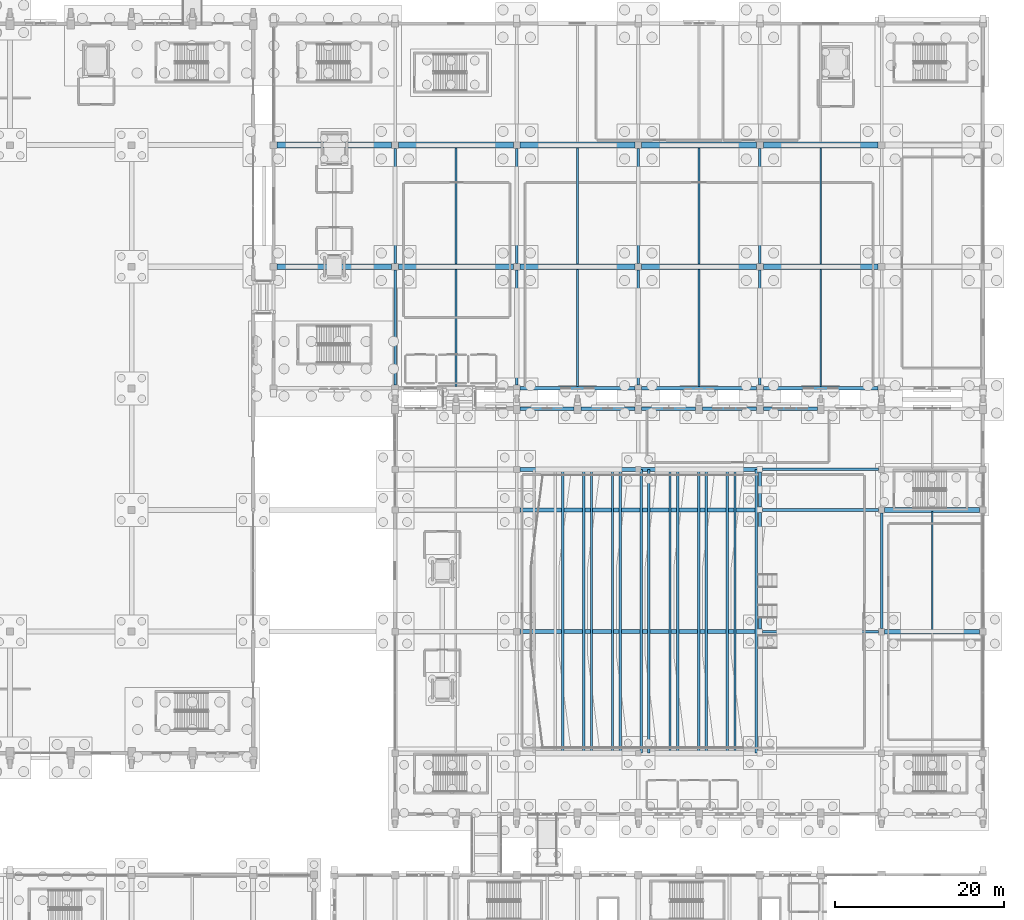
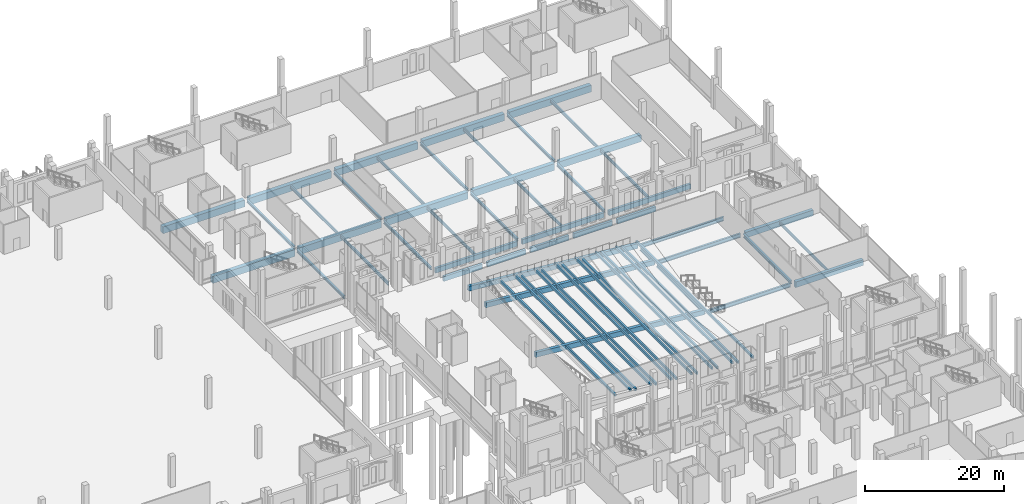
# One storey, part 112 of 192: 60 beams.
"""IFC4 building model written with IfcOpenShell, lengths in metres."""

from ifc_helpers import new_model, si_unit, direction, frame, origin, origin_2d, place, context, subcontext, project, spatial, rectangle, i_section, extrude, material, material_profile, profile_set, type_object, element, save


model = new_model("IFC4")

# Units and contexts
model_context = context("Model", 3, precision=1e-05, world=origin(), true_north=direction((0.0, 1.0)))
body_context = subcontext(model_context, "Body", "Model", "MODEL_VIEW")
ifc_project = project(units=[si_unit("LENGTHUNIT", "METRE"), si_unit("AREAUNIT", "SQUARE_METRE"), si_unit("VOLUMEUNIT", "CUBIC_METRE"), si_unit("PLANEANGLEUNIT", "RADIAN"), si_unit("MASSUNIT", "GRAM", prefix="KILO")], contexts=[model_context])

# Site, building, storey
site_placement = place(None, origin())
site = spatial("IfcSite", under=ifc_project, at=site_placement, CompositionType="ELEMENT")
building_placement = place(site_placement, origin())
building = spatial("IfcBuilding", under=site, at=building_placement, Name="Cendralis Lancet Convention Centre", CompositionType="ELEMENT")
storey_placement = place(building_placement, origin())
storey = spatial("IfcBuildingStorey", under=building, at=storey_placement, Name="L00", CompositionType="ELEMENT", Elevation=0.0)

# Beams
ifc_material_1 = material(Name="Concrete G40 (C40/50)", Category="concrete")
ifc_material_profile_1 = material_profile(ifc_material_1, rectangle(XDim=0.699951171875, YDim=1.199951171875, at=origin_2d()), Name="RCB 700x1200")
ifc_profile_set_1 = profile_set([ifc_material_profile_1], Name="Concrete G40 (C40/50)")
beam_type_1 = type_object("IfcBeamType", Name="STR-BM-BG01", PredefinedType="BEAM", material=ifc_profile_set_1)
beam_1_placement = place(storey_placement, frame((125.199951171875, 108.0, -0.919921875), z_axis=(1.0, 0.0, 0.0), x_axis=(0.0, 1.0, 0.0)))
element("IfcBeam", 1, at=beam_1_placement, inside=storey, type_object=beam_type_1, Name="L00 Beam BG01 #1587", PredefinedType="BEAM", context=body_context, shape_type="SweptSolid", body=[
    extrude(rectangle(XDim=0.699951171875, YDim=1.199951171875, at=origin_2d()), origin(), (0.0, 0.0, 1.0), 13.60009765625),
])
beam_2_placement = place(storey_placement, frame((139.60009765625, 108.0, -0.919921875), z_axis=(1.0, 0.0, 0.0), x_axis=(0.0, 1.0, 0.0)))
element("IfcBeam", 2, at=beam_2_placement, inside=storey, type_object=beam_type_1, Name="L00 Beam BG01 #1588", PredefinedType="BEAM", context=body_context, shape_type="SweptSolid", body=[
    extrude(rectangle(XDim=0.699951171875, YDim=1.199951171875, at=origin_2d()), origin(), (0.0, 0.0, 1.0), 13.599853515625),
])
for number, where, z_axis, x_axis, name in (
    (3, (154.0, 108.0, -0.919921875), (1.0, 0.0, 0.0), (0.0, 1.0, 0.0), "L00 Beam BG01 #1589"),
    (4, (168.39990234375, 108.0, -0.919921875), (1.0, 0.0, 0.0), (0.0, 1.0, 0.0), "L00 Beam BG01 #1590"),
):
    element("IfcBeam", number, at=place(storey_placement, frame(where, z_axis=z_axis, x_axis=x_axis)), inside=storey, type_object=beam_type_1, Name=name, PredefinedType="BEAM", context=body_context, shape_type="SweptSolid", body=[
        extrude(rectangle(XDim=0.699951171875, YDim=1.199951171875, at=origin_2d()), origin(), (0.0, 0.0, 1.0), 13.60009765625),
    ])
beam_3_placement = place(storey_placement, frame((182.800048828125, 108.0, -0.919921875), z_axis=(1.0, 0.0, 0.0), x_axis=(0.0, 1.0, 0.0)))
element("IfcBeam", 5, at=beam_3_placement, inside=storey, type_object=beam_type_1, Name="L00 Beam BG01 #1591", PredefinedType="BEAM", context=body_context, shape_type="SweptSolid", body=[
    extrude(rectangle(XDim=0.699951171875, YDim=1.199951171875, at=origin_2d()), origin(), (0.0, 0.0, 1.0), 13.599853515625),
])
beam_4_placement = place(storey_placement, frame((125.199951171875, 122.39990234375, -0.919921875), z_axis=(1.0, 0.0, 0.0), x_axis=(0.0, 1.0, 0.0)))
element("IfcBeam", 6, at=beam_4_placement, inside=storey, type_object=beam_type_1, Name="L00 Beam BG01 #1593", PredefinedType="BEAM", context=body_context, shape_type="SweptSolid", body=[
    extrude(rectangle(XDim=0.699951171875, YDim=1.199951171875, at=origin_2d()), origin(), (0.0, 0.0, 1.0), 13.60009765625),
])
beam_5_placement = place(storey_placement, frame((139.60009765625, 122.39990234375, -0.919921875), z_axis=(1.0, 0.0, 0.0), x_axis=(0.0, 1.0, 0.0)))
element("IfcBeam", 7, at=beam_5_placement, inside=storey, type_object=beam_type_1, Name="L00 Beam BG01 #1594", PredefinedType="BEAM", context=body_context, shape_type="SweptSolid", body=[
    extrude(rectangle(XDim=0.699951171875, YDim=1.199951171875, at=origin_2d()), origin(), (0.0, 0.0, 1.0), 13.599853515625),
])
for number, where, z_axis, x_axis, name in (
    (8, (154.0, 122.39990234375, -0.919921875), (1.0, 0.0, 0.0), (0.0, 1.0, 0.0), "L00 Beam BG01 #1595"),
    (9, (168.39990234375, 122.39990234375, -0.919921875), (1.0, 0.0, 0.0), (0.0, 1.0, 0.0), "L00 Beam BG01 #1596"),
):
    element("IfcBeam", number, at=place(storey_placement, frame(where, z_axis=z_axis, x_axis=x_axis)), inside=storey, type_object=beam_type_1, Name=name, PredefinedType="BEAM", context=body_context, shape_type="SweptSolid", body=[
        extrude(rectangle(XDim=0.699951171875, YDim=1.199951171875, at=origin_2d()), origin(), (0.0, 0.0, 1.0), 13.60009765625),
    ])
beam_6_placement = place(storey_placement, frame((182.800048828125, 122.39990234375, -0.919921875), z_axis=(1.0, 0.0, 0.0), x_axis=(0.0, 1.0, 0.0)))
element("IfcBeam", 10, at=beam_6_placement, inside=storey, type_object=beam_type_1, Name="L00 Beam BG01 #1597", PredefinedType="BEAM", context=body_context, shape_type="SweptSolid", body=[
    extrude(rectangle(XDim=0.699951171875, YDim=1.199951171875, at=origin_2d()), origin(), (0.0, 0.0, 1.0), 13.599853515625),
])
ifc_material_profile_2 = material_profile(ifc_material_1, rectangle(XDim=0.550048828125, YDim=1.0, at=origin_2d()), Name="RCB 550x1000")
ifc_profile_set_2 = profile_set([ifc_material_profile_2], Name="Concrete G40 (C40/50)")
beam_type_2 = type_object("IfcBeamType", Name="STR-BM-BG05", PredefinedType="BEAM", material=ifc_profile_set_2)
for number, where, z_axis, x_axis, name in (
    (11, (197.175048828125, 64.800048828125, -0.820068359375), (1.0, 0.0, 0.0), (0.0, 1.0, 0.0), "L00 Beam BG05 #1360"),
    (12, (197.175048828125, 79.199951171875, -0.820068359375), (1.0, 0.0, 0.0), (0.0, 1.0, 0.0), "L00 Beam BG05 #1363"),
):
    element("IfcBeam", number, at=place(storey_placement, frame(where, z_axis=z_axis, x_axis=x_axis)), inside=storey, type_object=beam_type_2, Name=name, PredefinedType="BEAM", context=body_context, shape_type="SweptSolid", body=[
        extrude(rectangle(XDim=0.550048828125, YDim=1.0, at=origin_2d()), origin(), (0.0, 0.0, 1.0), 11.25),
    ])
ifc_material_2 = material(Name="Steel S355", Category="steel")
ifc_material_profile_3 = material_profile(ifc_material_2, i_section(OverallWidth=0.320068359375, OverallDepth=0.800048828125, WebThickness=0.013916015625, FlangeThickness=0.02490234375, at=origin_2d()), Name="PG 800x320")
ifc_profile_set_3 = profile_set([ifc_material_profile_3], Name="Steel S355")
beam_type_3 = type_object("IfcBeamType", Name="STR-BM-SG06", PredefinedType="BEAM", material=ifc_profile_set_3)
beam_7_placement = place(storey_placement, frame((182.39990234375, 65.125, -0.719970703125), z_axis=(0.0, 1.0, 0.0), x_axis=(-1.0, 0.0, 0.0)))
element("IfcBeam", 13, at=beam_7_placement, inside=storey, type_object=beam_type_3, Name="L00 Beam SG06 #1578", PredefinedType="BEAM", context=body_context, shape_type="SweptSolid", body=[
    extrude(i_section(OverallWidth=0.320068359375, OverallDepth=0.800048828125, WebThickness=0.013916015625, FlangeThickness=0.02490234375, at=origin_2d()), origin(), (0.0, 0.0, 1.0), 13.75),
])
beam_8_placement = place(storey_placement, frame((182.39990234375, 79.52490234375, -0.719970703125), z_axis=(0.0, 1.0, 0.0), x_axis=(-1.0, 0.0, 0.0)))
element("IfcBeam", 14, at=beam_8_placement, inside=storey, type_object=beam_type_3, Name="L00 Beam SG06 #1579", PredefinedType="BEAM", context=body_context, shape_type="SweptSolid", body=[
    extrude(i_section(OverallWidth=0.320068359375, OverallDepth=0.800048828125, WebThickness=0.013916015625, FlangeThickness=0.02490234375, at=origin_2d()), origin(), (0.0, 0.0, 1.0), 4.150146484375),
])
ifc_material_profile_4 = material_profile(ifc_material_2, i_section(OverallWidth=0.300048828125, OverallDepth=0.699951171875, WebThickness=0.01708984375, FlangeThickness=0.031982421875, FilletRadius=0.027099609375, at=origin_2d()), Name="HEB 700")
ifc_profile_set_4 = profile_set([ifc_material_profile_4], Name="Steel S355")
beam_type_4 = type_object("IfcBeamType", Name="STR-BM-SG07", PredefinedType="BEAM", material=ifc_profile_set_4)
for number, where, z_axis, x_axis, name in (
    (15, (182.72509765625, 64.800048828125, -0.669921875), (1.0, 0.0, 0.0), (0.0, 1.0, 0.0), "L00 Beam SG07 #1359"),
    (16, (182.72509765625, 79.199951171875, -0.669921875), (1.0, 0.0, 0.0), (0.0, 1.0, 0.0), "L00 Beam SG07 #1362"),
    (17, (182.72509765625, 84.0, -0.669921875), (1.0, 0.0, 0.0), (0.0, 1.0, 0.0), "L00 Beam SG07 #1365"),
):
    element("IfcBeam", number, at=place(storey_placement, frame(where, z_axis=z_axis, x_axis=x_axis)), inside=storey, type_object=beam_type_4, Name=name, PredefinedType="BEAM", context=body_context, shape_type="SweptSolid", body=[
        extrude(i_section(OverallWidth=0.300048828125, OverallDepth=0.699951171875, WebThickness=0.01708984375, FlangeThickness=0.031982421875, FilletRadius=0.027099609375, at=origin_2d()), origin(), (0.0, 0.0, 1.0), 13.699951171875),
    ])
ifc_material_profile_5 = material_profile(ifc_material_2, i_section(OverallWidth=0.300048828125, OverallDepth=0.590087890625, WebThickness=0.012939453125, FlangeThickness=0.02490234375, FilletRadius=0.027099609375, at=origin_2d()), Name="HEA 600")
ifc_profile_set_5 = profile_set([ifc_material_profile_5], Name="Steel S355")
beam_type_5 = type_object("IfcBeamType", Name="STR-BM-SG10", PredefinedType="BEAM", material=ifc_profile_set_5)
beam_9_placement = place(storey_placement, frame((196.800048828125, 65.175048828125, -0.614990234375), z_axis=(0.0, 1.0, 0.0), x_axis=(-1.0, 0.0, 0.0)))
element("IfcBeam", 18, at=beam_9_placement, inside=storey, type_object=beam_type_5, Name="L00 Beam SG10 #1379", PredefinedType="BEAM", context=body_context, shape_type="SweptSolid", body=[
    extrude(i_section(OverallWidth=0.300048828125, OverallDepth=0.590087890625, WebThickness=0.012939453125, FlangeThickness=0.02490234375, FilletRadius=0.027099609375, at=origin_2d()), origin(), (0.0, 0.0, 1.0), 13.64990234375),
])
ifc_material_profile_6 = material_profile(ifc_material_2, i_section(OverallWidth=0.300048828125, OverallDepth=0.489990234375, WebThickness=0.011962890625, FlangeThickness=0.02294921875, FilletRadius=0.027099609375, at=origin_2d()), Name="HEA 500")
ifc_profile_set_6 = profile_set([ifc_material_profile_6], Name="Steel S355")
beam_type_6 = type_object("IfcBeamType", Name="STR-BM-SG12", PredefinedType="BEAM", material=ifc_profile_set_6)
for number, where, z_axis, x_axis, name in (
    (19, (139.199951171875, 94.0, -0.56494140625), (0.0, 1.0, 0.0), (-1.0, 0.0, 0.0), "L00 Beam SG12 #1608"),
    (20, (139.199951171875, 108.39990234375, -0.56494140625), (0.0, 1.0, 0.0), (-1.0, 0.0, 0.0), "L00 Beam SG12 #1609"),
    (21, (153.60009765625, 94.0, -0.56494140625), (0.0, 1.0, 0.0), (-1.0, 0.0, 0.0), "L00 Beam SG12 #1611"),
    (22, (153.60009765625, 108.39990234375, -0.56494140625), (0.0, 1.0, 0.0), (-1.0, 0.0, 0.0), "L00 Beam SG12 #1612"),
    (23, (168.0, 94.0, -0.56494140625), (0.0, 1.0, 0.0), (-1.0, 0.0, 0.0), "L00 Beam SG12 #1614"),
    (24, (168.0, 108.39990234375, -0.56494140625), (0.0, 1.0, 0.0), (-1.0, 0.0, 0.0), "L00 Beam SG12 #1615"),
    (25, (182.39990234375, 94.0, -0.56494140625), (0.0, 1.0, 0.0), (-1.0, 0.0, 0.0), "L00 Beam SG12 #1617"),
    (26, (182.39990234375, 108.39990234375, -0.56494140625), (0.0, 1.0, 0.0), (-1.0, 0.0, 0.0), "L00 Beam SG12 #1618"),
):
    element("IfcBeam", number, at=place(storey_placement, frame(where, z_axis=z_axis, x_axis=x_axis)), inside=storey, type_object=beam_type_6, Name=name, PredefinedType="BEAM", context=body_context, shape_type="SweptSolid", body=[
        extrude(i_section(OverallWidth=0.300048828125, OverallDepth=0.489990234375, WebThickness=0.011962890625, FlangeThickness=0.02294921875, FilletRadius=0.027099609375, at=origin_2d()), origin(), (0.0, 0.0, 1.0), 13.60009765625),
    ])
ifc_material_3 = material(Name="Concrete G35 (C35/45)", Category="concrete")
ifc_material_profile_7 = material_profile(ifc_material_3, rectangle(XDim=0.280029296875, YDim=0.419921875, at=origin_2d()), Name="RCB 280x420")
ifc_profile_set_7 = profile_set([ifc_material_profile_7], Name="Concrete G35 (C35/45)")
beam_type_7 = type_object("IfcBeamType", Name="STR-BM-SR01", PredefinedType="BEAM", material=ifc_profile_set_7)
for number, where, z_axis, x_axis, name in (
    (27, (179.449951171875, 50.39990234375, 0.360107421875), (0.0, 1.0, 0.0), (-1.0, 0.0, 0.0), "Plenary Lower Tier Step Beam SR01 R01"),
    (28, (181.949951171875, 50.39990234375, 0.360107421875), (0.0, 1.0, 0.0), (-1.0, 0.0, 0.0), "Plenary Lower Tier Step Beam SR01 R01"),
    (29, (176.050048828125, 50.39990234375, 0.590087890625), (0.0, 1.0, 0.0), (-1.0, 0.0, 0.0), "Plenary Lower Tier Step Beam SR01 R02"),
    (30, (178.550048828125, 50.39990234375, 0.590087890625), (0.0, 1.0, 0.0), (-1.0, 0.0, 0.0), "Plenary Lower Tier Step Beam SR01 R02"),
    (31, (172.64990234375, 50.39990234375, 0.820068359375), (0.0, 1.0, 0.0), (-1.0, 0.0, 0.0), "Plenary Lower Tier Step Beam SR01 R03"),
    (32, (175.14990234375, 50.39990234375, 0.820068359375), (0.0, 1.0, 0.0), (-1.0, 0.0, 0.0), "Plenary Lower Tier Step Beam SR01 R03"),
    (33, (169.25, 50.39990234375, 1.050048828125), (0.0, 1.0, 0.0), (-1.0, 0.0, 0.0), "Plenary Lower Tier Step Beam SR01 R04"),
    (34, (171.75, 50.39990234375, 1.050048828125), (0.0, 1.0, 0.0), (-1.0, 0.0, 0.0), "Plenary Lower Tier Step Beam SR01 R04"),
    (35, (165.85009765625, 50.39990234375, 1.280029296875), (0.0, 1.0, 0.0), (-1.0, 0.0, 0.0), "Plenary Lower Tier Step Beam SR01 R05"),
    (36, (168.35009765625, 50.39990234375, 1.280029296875), (0.0, 1.0, 0.0), (-1.0, 0.0, 0.0), "Plenary Lower Tier Step Beam SR01 R05"),
    (37, (162.449951171875, 50.39990234375, 1.510009765625), (0.0, 1.0, 0.0), (-1.0, 0.0, 0.0), "Plenary Lower Tier Step Beam SR01 R06"),
    (38, (164.949951171875, 50.39990234375, 1.510009765625), (0.0, 1.0, 0.0), (-1.0, 0.0, 0.0), "Plenary Lower Tier Step Beam SR01 R06"),
    (39, (159.050048828125, 50.39990234375, 1.739990234375), (0.0, 1.0, 0.0), (-1.0, 0.0, 0.0), "Plenary Lower Tier Step Beam SR01 R07"),
    (40, (161.550048828125, 50.39990234375, 1.739990234375), (0.0, 1.0, 0.0), (-1.0, 0.0, 0.0), "Plenary Lower Tier Step Beam SR01 R07"),
):
    element("IfcBeam", number, at=place(storey_placement, frame(where, z_axis=z_axis, x_axis=x_axis)), inside=storey, type_object=beam_type_7, Name=name, PredefinedType="BEAM", context=body_context, shape_type="SweptSolid", body=[
        extrude(rectangle(XDim=0.280029296875, YDim=0.419921875, at=origin_2d()), origin(), (0.0, 0.0, 1.0), 33.60009765625),
    ])
ifc_material_profile_8 = material_profile(ifc_material_2, i_section(OverallWidth=0.2099609375, OverallDepth=0.550048828125, WebThickness=0.010986328125, FlangeThickness=0.01708984375, FilletRadius=0.02392578125, at=origin_2d()), Name="IPE 550")
ifc_profile_set_8 = profile_set([ifc_material_profile_8], Name="Steel S355")
beam_type_8 = type_object("IfcBeamType", Name="STR-JS-BJ05", PredefinedType="JOIST", material=ifc_profile_set_8)
beam_10_placement = place(storey_placement, frame((146.39990234375, 93.800048828125, -0.594970703125), z_axis=(0.0, 1.0, 0.0), x_axis=(-1.0, 0.0, 0.0)))
element("IfcBeam", 41, at=beam_10_placement, inside=storey, type_object=beam_type_8, Name="L00 Beam BJ05 #1626", PredefinedType="JOIST", context=body_context, shape_type="SweptSolid", body=[
    extrude(i_section(OverallWidth=0.2099609375, OverallDepth=0.550048828125, WebThickness=0.010986328125, FlangeThickness=0.01708984375, FilletRadius=0.02392578125, at=origin_2d()), origin(), (0.0, 0.0, 1.0), 13.849853515625),
])
beam_11_placement = place(storey_placement, frame((146.39990234375, 108.35009765625, -0.594970703125), z_axis=(0.0, 1.0, 0.0), x_axis=(-1.0, 0.0, 0.0)))
element("IfcBeam", 42, at=beam_11_placement, inside=storey, type_object=beam_type_8, Name="L00 Beam BJ05 #1627", PredefinedType="JOIST", context=body_context, shape_type="SweptSolid", body=[
    extrude(i_section(OverallWidth=0.2099609375, OverallDepth=0.550048828125, WebThickness=0.010986328125, FlangeThickness=0.01708984375, FilletRadius=0.02392578125, at=origin_2d()), origin(), (0.0, 0.0, 1.0), 13.699951171875),
])
beam_12_placement = place(storey_placement, frame((160.800048828125, 93.800048828125, -0.594970703125), z_axis=(0.0, 1.0, 0.0), x_axis=(-1.0, 0.0, 0.0)))
element("IfcBeam", 43, at=beam_12_placement, inside=storey, type_object=beam_type_8, Name="L00 Beam BJ05 #1628", PredefinedType="JOIST", context=body_context, shape_type="SweptSolid", body=[
    extrude(i_section(OverallWidth=0.2099609375, OverallDepth=0.550048828125, WebThickness=0.010986328125, FlangeThickness=0.01708984375, FilletRadius=0.02392578125, at=origin_2d()), origin(), (0.0, 0.0, 1.0), 13.849853515625),
])
beam_13_placement = place(storey_placement, frame((160.800048828125, 108.35009765625, -0.594970703125), z_axis=(0.0, 1.0, 0.0), x_axis=(-1.0, 0.0, 0.0)))
element("IfcBeam", 44, at=beam_13_placement, inside=storey, type_object=beam_type_8, Name="L00 Beam BJ05 #1629", PredefinedType="JOIST", context=body_context, shape_type="SweptSolid", body=[
    extrude(i_section(OverallWidth=0.2099609375, OverallDepth=0.550048828125, WebThickness=0.010986328125, FlangeThickness=0.01708984375, FilletRadius=0.02392578125, at=origin_2d()), origin(), (0.0, 0.0, 1.0), 13.699951171875),
])
beam_14_placement = place(storey_placement, frame((175.199951171875, 93.800048828125, -0.594970703125), z_axis=(0.0, 1.0, 0.0), x_axis=(-1.0, 0.0, 0.0)))
element("IfcBeam", 45, at=beam_14_placement, inside=storey, type_object=beam_type_8, Name="L00 Beam BJ05 #1631", PredefinedType="JOIST", context=body_context, shape_type="SweptSolid", body=[
    extrude(i_section(OverallWidth=0.2099609375, OverallDepth=0.550048828125, WebThickness=0.010986328125, FlangeThickness=0.01708984375, FilletRadius=0.02392578125, at=origin_2d()), origin(), (0.0, 0.0, 1.0), 13.849853515625),
])
beam_15_placement = place(storey_placement, frame((175.199951171875, 108.35009765625, -0.594970703125), z_axis=(0.0, 1.0, 0.0), x_axis=(-1.0, 0.0, 0.0)))
element("IfcBeam", 46, at=beam_15_placement, inside=storey, type_object=beam_type_8, Name="L00 Beam BJ05 #1632", PredefinedType="JOIST", context=body_context, shape_type="SweptSolid", body=[
    extrude(i_section(OverallWidth=0.2099609375, OverallDepth=0.550048828125, WebThickness=0.010986328125, FlangeThickness=0.01708984375, FilletRadius=0.02392578125, at=origin_2d()), origin(), (0.0, 0.0, 1.0), 13.699951171875),
])
beam_16_placement = place(storey_placement, frame((189.60009765625, 93.800048828125, -0.594970703125), z_axis=(0.0, 1.0, 0.0), x_axis=(-1.0, 0.0, 0.0)))
element("IfcBeam", 47, at=beam_16_placement, inside=storey, type_object=beam_type_8, Name="L00 Beam BJ05 #1634", PredefinedType="JOIST", context=body_context, shape_type="SweptSolid", body=[
    extrude(i_section(OverallWidth=0.2099609375, OverallDepth=0.550048828125, WebThickness=0.010986328125, FlangeThickness=0.01708984375, FilletRadius=0.02392578125, at=origin_2d()), origin(), (0.0, 0.0, 1.0), 13.849853515625),
])
beam_17_placement = place(storey_placement, frame((189.60009765625, 108.35009765625, -0.594970703125), z_axis=(0.0, 1.0, 0.0), x_axis=(-1.0, 0.0, 0.0)))
element("IfcBeam", 48, at=beam_17_placement, inside=storey, type_object=beam_type_8, Name="L00 Beam BJ05 #1635", PredefinedType="JOIST", context=body_context, shape_type="SweptSolid", body=[
    extrude(i_section(OverallWidth=0.2099609375, OverallDepth=0.550048828125, WebThickness=0.010986328125, FlangeThickness=0.01708984375, FilletRadius=0.02392578125, at=origin_2d()), origin(), (0.0, 0.0, 1.0), 13.699951171875),
])
ifc_material_profile_9 = material_profile(ifc_material_2, i_section(OverallWidth=0.199951171875, OverallDepth=0.5, WebThickness=0.01025390625, FlangeThickness=0.01611328125, FilletRadius=0.02099609375, at=origin_2d()), Name="IPE 500")
ifc_profile_set_9 = profile_set([ifc_material_profile_9], Name="Steel S355")
beam_type_9 = type_object("IfcBeamType", Name="STR-JS-BJ06", PredefinedType="JOIST", material=ifc_profile_set_9)
beam_18_placement = place(storey_placement, frame((202.800048828125, 64.949951171875, -0.570068359375), z_axis=(0.0, 1.0, 0.0), x_axis=(-1.0, 0.0, 0.0)))
element("IfcBeam", 49, at=beam_18_placement, inside=storey, type_object=beam_type_9, Name="L00 Beam BJ06 #1392", PredefinedType="JOIST", context=body_context, shape_type="SweptSolid", body=[
    extrude(i_section(OverallWidth=0.199951171875, OverallDepth=0.5, WebThickness=0.01025390625, FlangeThickness=0.01611328125, FilletRadius=0.02099609375, at=origin_2d()), origin(), (0.0, 0.0, 1.0), 14.10009765625),
])
ifc_material_profile_10 = material_profile(ifc_material_3, rectangle(XDim=0.5, YDim=0.85009765625, at=origin_2d()), Name="RCB 500x850")
ifc_profile_set_10 = profile_set([ifc_material_profile_10], Name="Concrete G35 (C35/45)")
beam_type_10 = type_object("IfcBeamType", Name="STR-RK-RAKER1", PredefinedType="USERDEFINED", material=ifc_profile_set_10)
for number, where, z_axis, x_axis, name in (
    (50, (153.97509765625, 64.800048828125, 1.949951171875), (0.996666807535, 0.0, -0.081579867362), (0.0, 1.0, 0.0), "Plenary Lower Stand RAKER Girder RK01-02"),
    (51, (153.97509765625, 79.199951171875, 1.949951171875), (0.996666807535, 0.0, -0.081579867362), (0.0, 1.0, 0.0), "Plenary Lower Stand RAKER Girder RK01-03"),
    (52, (153.97509765625, 84.0, 1.949951171875), (0.996666807535, 0.0, -0.081579867362), (0.0, 1.0, 0.0), "Plenary Lower Stand RAKER Girder RK01-04"),
):
    element("IfcBeam", number, at=place(storey_placement, frame(where, z_axis=z_axis, x_axis=x_axis)), inside=storey, type_object=beam_type_10, Name=name, ObjectType="RAKER", PredefinedType="USERDEFINED", context=body_context, shape_type="SweptSolid", body=[
        extrude(rectangle(XDim=0.5, YDim=0.85009765625, at=origin_2d()), origin(), (0.0, 0.0, 1.0), 28.19384765625),
    ])
ifc_material_profile_11 = material_profile(ifc_material_1, rectangle(XDim=0.39990234375, YDim=0.85009765625, at=origin_2d()), Name="RCB 400x850")
ifc_profile_set_11 = profile_set([ifc_material_profile_11], Name="Concrete G40 (C40/50)")
beam_type_11 = type_object("IfcBeamType", Name="STR-SP-SP02", PredefinedType="SPANDREL", material=ifc_profile_set_11)
beam_19_placement = place(storey_placement, frame((154.0, 91.199951171875, -0.7451171875), z_axis=(1.0, 0.0, 0.0), x_axis=(0.0, 1.0, 0.0)))
element("IfcBeam", 53, at=beam_19_placement, inside=storey, type_object=beam_type_11, Name="L00 Beam SP02 #1348", PredefinedType="SPANDREL", context=body_context, shape_type="SweptSolid", body=[
    extrude(rectangle(XDim=0.39990234375, YDim=0.85009765625, at=origin_2d()), origin(), (0.0, 0.0, 1.0), 6.39990234375),
])
for number, where, z_axis, x_axis, name in (
    (54, (161.199951171875, 91.199951171875, -0.7451171875), (1.0, 0.0, 0.0), (0.0, 1.0, 0.0), "L00 Beam SP02 #1349"),
    (55, (168.39990234375, 91.199951171875, -0.7451171875), (1.0, 0.0, 0.0), (0.0, 1.0, 0.0), "L00 Beam SP02 #1350"),
):
    element("IfcBeam", number, at=place(storey_placement, frame(where, z_axis=z_axis, x_axis=x_axis)), inside=storey, type_object=beam_type_11, Name=name, PredefinedType="SPANDREL", context=body_context, shape_type="SweptSolid", body=[
        extrude(rectangle(XDim=0.39990234375, YDim=0.85009765625, at=origin_2d()), origin(), (0.0, 0.0, 1.0), 6.400146484375),
    ])
for number, where, z_axis, x_axis, name in (
    (56, (175.60009765625, 91.199951171875, -0.7451171875), (1.0, 0.0, 0.0), (0.0, 1.0, 0.0), "L00 Beam SP02 #1351"),
    (57, (182.800048828125, 91.199951171875, -0.7451171875), (1.0, 0.0, 0.0), (0.0, 1.0, 0.0), "L00 Beam SP02 #1352"),
):
    element("IfcBeam", number, at=place(storey_placement, frame(where, z_axis=z_axis, x_axis=x_axis)), inside=storey, type_object=beam_type_11, Name=name, PredefinedType="SPANDREL", context=body_context, shape_type="SweptSolid", body=[
        extrude(rectangle(XDim=0.39990234375, YDim=0.85009765625, at=origin_2d()), origin(), (0.0, 0.0, 1.0), 6.39990234375),
    ])
for number, where, z_axis, x_axis, name in (
    (58, (154.0, 93.60009765625, -0.7451171875), (1.0, 0.0, 0.0), (0.0, 1.0, 0.0), "L00 Beam SP02 #1583"),
    (59, (168.39990234375, 93.60009765625, -0.7451171875), (1.0, 0.0, 0.0), (0.0, 1.0, 0.0), "L00 Beam SP02 #1584"),
):
    element("IfcBeam", number, at=place(storey_placement, frame(where, z_axis=z_axis, x_axis=x_axis)), inside=storey, type_object=beam_type_11, Name=name, PredefinedType="SPANDREL", context=body_context, shape_type="SweptSolid", body=[
        extrude(rectangle(XDim=0.39990234375, YDim=0.85009765625, at=origin_2d()), origin(), (0.0, 0.0, 1.0), 13.60009765625),
    ])
beam_20_placement = place(storey_placement, frame((182.800048828125, 93.60009765625, -0.7451171875), z_axis=(1.0, 0.0, 0.0), x_axis=(0.0, 1.0, 0.0)))
element("IfcBeam", 60, at=beam_20_placement, inside=storey, type_object=beam_type_11, Name="L00 Beam SP02 #1585", PredefinedType="SPANDREL", context=body_context, shape_type="SweptSolid", body=[
    extrude(rectangle(XDim=0.39990234375, YDim=0.85009765625, at=origin_2d()), origin(), (0.0, 0.0, 1.0), 13.599853515625),
])

save(model, "model.ifc")
